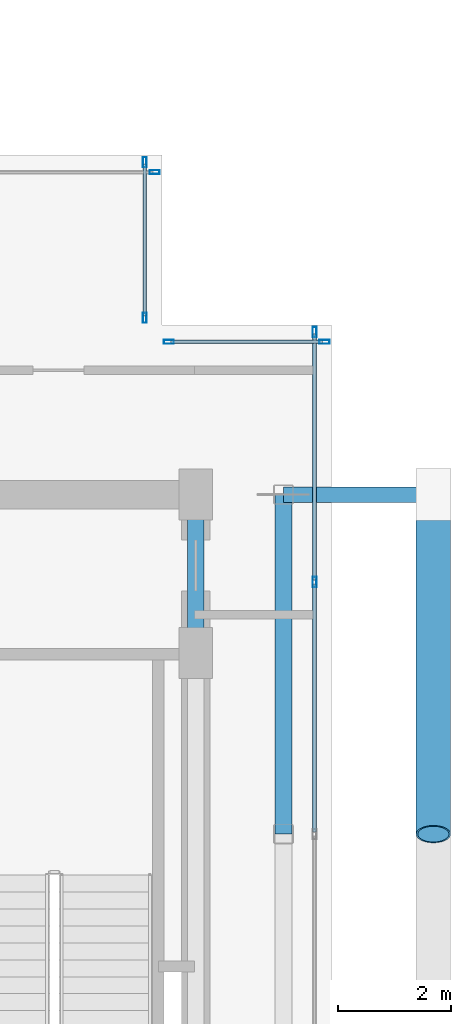
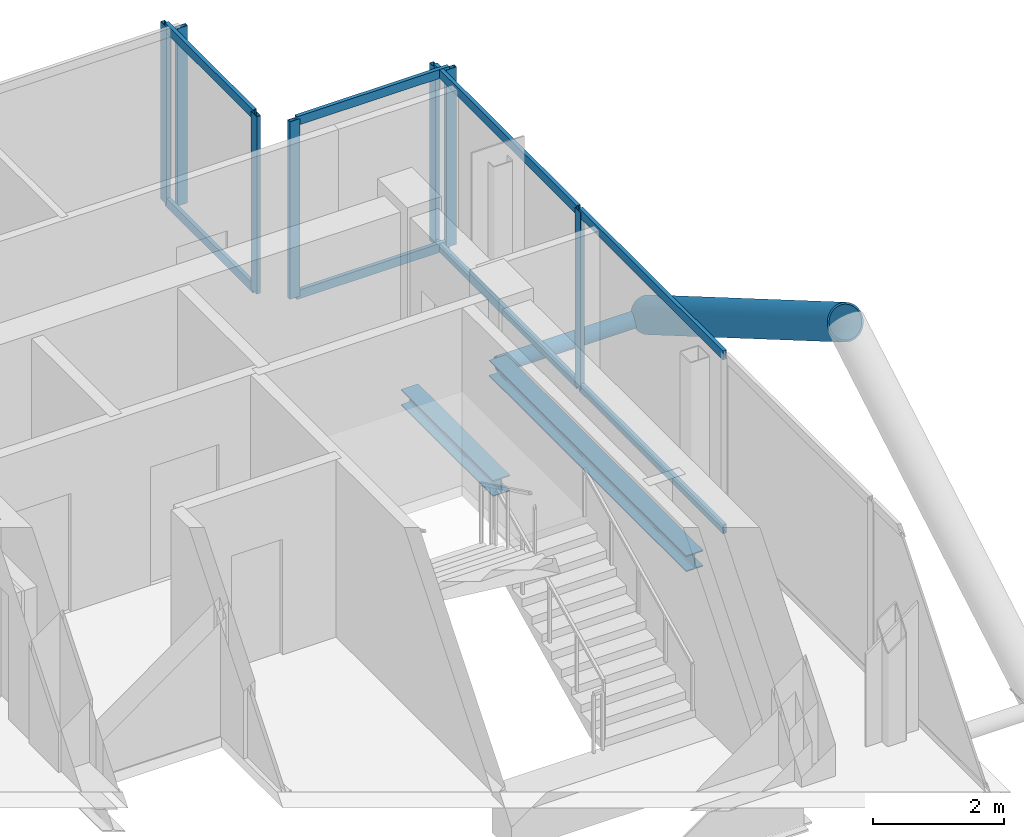
# One storey, part 12 of 18: 17 members, 2 beams, 4 elements without a shape of their own.
"""IFC4 building model written with IfcOpenShell, lengths in metres."""

import ifcopenshell
import ifcopenshell.guid

model = None  # the IFC model being written
_history = None  # IfcOwnerHistory: only IFC2X3 demands one
_inside = {}  # id of a spatial element -> (the spatial element, [elements in it])
_under = {}  # id of a project, library or spatial element -> (it, [spatial elements below it])
_declared = {}  # id of a project -> (the project, [libraries it declares])
_typed = {}  # id of a type object -> (the type object, [elements of that type])
_made_of = {}  # id of a material, layer set ... -> (it, [elements and type objects made of it])


def new_model(schema):
    """Start an empty IFC model of exactly this schema.

    Asked for "IFC4X3", IfcOpenShell would pick the latest addendum, in which some entities
    have other attributes; the version numbers below select the first issue.
    IFC2X3 requires an IfcOwnerHistory on every rooted entity: one is made here for all.
    """
    global model, _history
    if schema == "IFC4X3":
        model = ifcopenshell.file(schema_version=(4, 3, 0, 0))
    else:
        model = ifcopenshell.file(schema=schema)
    _inside.clear()
    _under.clear()
    _declared.clear()
    _typed.clear()
    _made_of.clear()
    _history = None
    if model.schema == "IFC2X3":
        org = make("IfcOrganization", Name="unknown")
        user = make(
            "IfcPersonAndOrganization",
            ThePerson=make("IfcPerson", FamilyName="unknown"),
            TheOrganization=org,
        )
        app = make(
            "IfcApplication",
            ApplicationDeveloper=org,
            Version="unknown",
            ApplicationFullName="unknown",
            ApplicationIdentifier="unknown",
        )
        _history = make(
            "IfcOwnerHistory",
            OwningUser=user,
            OwningApplication=app,
            ChangeAction="ADDED",
            CreationDate=0,
        )
    return model


def make(cls, **values):
    """One entity of the class cls with the attributes given. An attribute that is None is left unset."""
    return model.create_entity(
        cls, **{name: value for name, value in values.items() if value is not None}
    )


def rooted(cls, **values):
    """An entity with a GlobalId (a new one), such as an element, a storey or a relation."""
    return make(cls, GlobalId=ifcopenshell.guid.new(), OwnerHistory=_history, **values)


def si_unit(unit_type, name, prefix=None):
    """IfcSIUnit, for example si_unit("LENGTHUNIT", "METRE", prefix="MILLI")."""
    return make("IfcSIUnit", UnitType=unit_type, Prefix=prefix, Name=name)


def assignment(units):
    """IfcUnitAssignment: the units of a project."""
    return None if units is None else make("IfcUnitAssignment", Units=units)


def point(xyz):
    """IfcCartesianPoint."""
    return None if xyz is None else make("IfcCartesianPoint", Coordinates=xyz)


def direction(xyz):
    """IfcDirection."""
    return None if xyz is None else make("IfcDirection", DirectionRatios=xyz)


def frame(location, z_axis=None, x_axis=None):
    """IfcAxis2Placement3D, a coordinate frame: its origin and axes. An axis left out is left unset."""
    return make(
        "IfcAxis2Placement3D",
        Location=point(location),
        Axis=direction(z_axis),
        RefDirection=direction(x_axis),
    )


def frame_2d(location, x_axis=None):
    """IfcAxis2Placement2D, a coordinate frame in the plane: its origin and x axis."""
    return make(
        "IfcAxis2Placement2D", Location=point(location), RefDirection=direction(x_axis)
    )


def origin():
    """The frame at (0, 0, 0) with its axes left unset."""
    return frame((0.0, 0.0, 0.0))


def origin_2d():
    """The frame at (0, 0) in the plane with its x axis left unset."""
    return frame_2d((0.0, 0.0))


def place(relative_to, where):
    """IfcLocalPlacement: puts the frame where relative to a parent placement (None: the world)."""
    return make(
        "IfcLocalPlacement", PlacementRelTo=relative_to, RelativePlacement=where
    )


def context(
    kind, dimensions, precision=None, world=None, true_north=None, identifier=None
):
    """IfcGeometricRepresentationContext, for example the 3D "Model" context."""
    return make(
        "IfcGeometricRepresentationContext",
        ContextIdentifier=identifier,
        ContextType=kind,
        CoordinateSpaceDimension=dimensions,
        Precision=precision,
        WorldCoordinateSystem=world,
        TrueNorth=true_north,
    )


def subcontext(parent, identifier, kind, view, scale=None):
    """IfcGeometricRepresentationSubContext, for example "Body" below "Model"."""
    return make(
        "IfcGeometricRepresentationSubContext",
        ContextIdentifier=identifier,
        ContextType=kind,
        ParentContext=parent,
        TargetScale=scale,
        TargetView=view,
    )


def project(units=None, contexts=None):
    """IfcProject with its units and contexts."""
    return rooted(
        "IfcProject",
        Name="project",
        RepresentationContexts=contexts,
        UnitsInContext=assignment(units),
    )


def spatial(cls, under=None, at=None, **own):
    """A site, building, storey or space (cls), placed at a placement, below another one or the project."""
    s = rooted(cls, ObjectPlacement=at, **own)
    if under is not None:
        _under.setdefault(under.id(), (under, []))[1].append(s)
    return s


def profile(cls, at=None, kind="AREA", **sizes):
    """A parametric profile (cls). Its sizes go by their IFC names, for example OverallWidth=200.0."""
    return make(cls, ProfileType=kind, Position=at, **sizes)


def hollow_rectangle(**sizes):
    """IfcRectangleHollowProfileDef."""
    return profile("IfcRectangleHollowProfileDef", **sizes)


def hollow_circle(**sizes):
    """IfcCircleHollowProfileDef."""
    return profile("IfcCircleHollowProfileDef", **sizes)


def i_section(**sizes):
    """IfcIShapeProfileDef."""
    return profile("IfcIShapeProfileDef", **sizes)


def extrude(swept, where, along, depth):
    """IfcExtrudedAreaSolid: the profile swept, set in the frame where, extruded along a direction by depth."""
    return make(
        "IfcExtrudedAreaSolid",
        SweptArea=swept,
        Position=where,
        ExtrudedDirection=direction(along),
        Depth=depth,
    )


def shape(context_of_items, identifier, shape_type, items):
    """IfcShapeRepresentation: the items that make up one representation, for example the "Body"."""
    return make(
        "IfcShapeRepresentation",
        ContextOfItems=context_of_items,
        RepresentationIdentifier=identifier,
        RepresentationType=shape_type,
        Items=items,
    )


def material(Name=None, Category=None):
    """IfcMaterial."""
    return make("IfcMaterial", Name=Name, Category=Category)


def layer(
    of_material, thickness, ventilated=None, Name=None, Category=None, Priority=None
):
    """IfcMaterialLayer: one layer of a wall or slab, of a material (None: an air gap)."""
    return make(
        "IfcMaterialLayer",
        Material=of_material,
        LayerThickness=thickness,
        IsVentilated=ventilated,
        Name=Name,
        Category=Category,
        Priority=Priority,
    )


def layer_set(layers, Name=None):
    """IfcMaterialLayerSet."""
    return make("IfcMaterialLayerSet", MaterialLayers=layers, LayerSetName=Name)


def material_profile(
    of_material, cross_section, Name=None, Category=None, Priority=None
):
    """IfcMaterialProfile: a cross section and its material."""
    return make(
        "IfcMaterialProfile",
        Name=Name,
        Material=of_material,
        Profile=cross_section,
        Priority=Priority,
        Category=Category,
    )


def profile_set(profiles, Name=None, composite=None):
    """IfcMaterialProfileSet."""
    return make(
        "IfcMaterialProfileSet",
        Name=Name,
        MaterialProfiles=profiles,
        CompositeProfile=composite,
    )


def made_of(thing, what):
    """Note that an element or type object is made of a material, layer set ...; save() writes the relation."""
    if what is not None:
        _made_of.setdefault(what.id(), (what, []))[1].append(thing)
    return thing


def type_object(cls, material=None, **own):
    """A type object (cls), such as IfcWallType, which elements share."""
    return made_of(rooted(cls, **own), material)


def element(
    cls,
    number,
    at=None,
    inside=None,
    cuts=None,
    type_object=None,
    material=None,
    context=None,
    identifier="Body",
    shape_type=None,
    held_by="IfcProductDefinitionShape",
    body=None,
    shapes=None,
    **own,
):
    """One element of the class cls, such as IfcWall. Its Tag is "e" and its number.

    at: its placement. inside: the storey or other place that contains it. cuts: it is an
    opening in that element (IfcRelVoidsElement). A single representation is given by context,
    identifier, shape_type and body (its items); several are given by shapes. held_by: the class
    of the entity that holds the representations. save() writes the other relations.
    """
    e = rooted(cls, Tag="e%d" % number, ObjectPlacement=at, **own)
    if body is not None:
        shapes = [shape(context, identifier, shape_type, body)]
    if shapes is not None:
        e.Representation = make(held_by, Representations=shapes)
    if inside is not None:
        _inside.setdefault(inside.id(), (inside, []))[1].append(e)
    if cuts is not None:
        rooted(
            "IfcRelVoidsElement", RelatingBuildingElement=cuts, RelatedOpeningElement=e
        )
    if type_object is not None:
        _typed.setdefault(type_object.id(), (type_object, []))[1].append(e)
    return made_of(e, material)


def aggregate(whole, parts):
    """IfcRelAggregates: a whole, such as a stair, and the parts it consists of."""
    return rooted("IfcRelAggregates", RelatingObject=whole, RelatedObjects=parts)


def save(model, path):
    """Write the relations noted so far, then the file.

    IfcRelAggregates (storeys below a building ...), IfcRelContainedInSpatialStructure (elements
    in a storey), IfcRelDefinesByType, IfcRelAssociatesMaterial and IfcRelDeclares: one each for
    every whole, place, type object, material and project.
    """
    for whole, parts in _under.values():
        aggregate(whole, parts)
    for where, things in _inside.values():
        rooted(
            "IfcRelContainedInSpatialStructure",
            RelatedElements=things,
            RelatingStructure=where,
        )
    for kind, things in _typed.values():
        rooted("IfcRelDefinesByType", RelatedObjects=things, RelatingType=kind)
    for what, things in _made_of.values():
        rooted("IfcRelAssociatesMaterial", RelatedObjects=things, RelatingMaterial=what)
    for by, libraries in _declared.values():
        rooted("IfcRelDeclares", RelatingContext=by, RelatedDefinitions=libraries)
    model.write(path)


model = new_model("IFC4")

# Units and contexts
model_context = context("Model", 3, precision=1e-05, world=origin(), true_north=direction((0.0, 1.0)))
body_context = subcontext(model_context, "Body", "Model", "MODEL_VIEW")
ifc_project = project(units=[si_unit("LENGTHUNIT", "METRE"), si_unit("AREAUNIT", "SQUARE_METRE"), si_unit("VOLUMEUNIT", "CUBIC_METRE"), si_unit("PLANEANGLEUNIT", "RADIAN"), si_unit("MASSUNIT", "GRAM", prefix="KILO"), si_unit("THERMODYNAMICTEMPERATUREUNIT", "KELVIN"), si_unit("POWERUNIT", "WATT")], contexts=[model_context])

# Site, building, storey
site_placement = place(None, origin())
site = spatial("IfcSite", under=ifc_project, at=site_placement, CompositionType="ELEMENT")
building_placement = place(site_placement, origin())
building = spatial("IfcBuilding", under=site, at=building_placement, Name="Svarakhadi Broadcast Tower", CompositionType="ELEMENT")
storey_placement = place(building_placement, frame((0.0, 0.0, 264.199951171875)))
storey = spatial("IfcBuildingStorey", under=building, at=storey_placement, Name="L66", CompositionType="ELEMENT", Elevation=264.199951171875)

# Curtain wall, member
ifc_material_1 = material(Name="Anodised Bronze Aluminium AA 6063-T6", Category="aluminium")
ifc_layer = layer(ifc_material_1, 0.179931640625)
ifc_layer_set = layer_set([ifc_layer], Name="Anodised Bronze Aluminium AA 6063-T6")
curtain_wall_type = type_object("IfcCurtainWallType", Name="CW_Sys_05", PredefinedType="NOTDEFINED", material=ifc_layer_set)
curtain_wall_1_placement = place(storey_placement, origin())
curtain_wall_1 = element("IfcCurtainWall", 1, at=curtain_wall_1_placement, inside=storey, type_object=curtain_wall_type, Name="L66 Unitised Facade Curtain Wall 10", PredefinedType="NOTDEFINED")
ifc_material_profile_1 = material_profile(ifc_material_1, hollow_rectangle(XDim=0.070068359375, YDim=0.179931640625, WallThickness=0.005615234375, at=origin_2d()), Name="ALU MULLION 180x70x6")
ifc_profile_set_1 = profile_set([ifc_material_profile_1], Name="Anodised Bronze Aluminium AA 6063-T6")
member_type_1 = type_object("IfcMemberType", Name="CW_Sys_05_Mul", PredefinedType="MULLION", material=ifc_profile_set_1)
member_1_placement = place(storey_placement, frame((32.875, 23.699951171875, 0.0), z_axis=(0.0, 0.0, 1.0), x_axis=(0.0, 1.0, 0.0)))
member_1 = element("IfcMember", 2, at=member_1_placement, type_object=member_type_1, Name="CW-05 mullion 2", PredefinedType="MULLION", context=body_context, shape_type="SweptSolid", body=[
    extrude(hollow_rectangle(XDim=0.070068359375, YDim=0.179931640625, WallThickness=0.005615234375, at=origin_2d()), origin(), (0.0, 0.0, 1.0), 3.300048828125),
])
aggregate(curtain_wall_1, [member_1])

# Curtain wall, members
curtain_wall_2_placement = place(storey_placement, origin())
curtain_wall_2 = element("IfcCurtainWall", 3, at=curtain_wall_2_placement, inside=storey, type_object=curtain_wall_type, Name="L66 Unitised Facade Curtain Wall 11", PredefinedType="NOTDEFINED")
member_2_placement = place(storey_placement, frame((32.699951171875, 23.875, 0.0), z_axis=(0.0, 0.0, 1.0), x_axis=(1.0, 0.0, 0.0)))
member_2 = element("IfcMember", 4, at=member_2_placement, type_object=member_type_1, Name="CW-05 mullion 1", PredefinedType="MULLION", context=body_context, shape_type="SweptSolid", body=[
    extrude(hollow_rectangle(XDim=0.070068359375, YDim=0.179931640625, WallThickness=0.005615234375, at=origin_2d()), origin(), (0.0, 0.0, 1.0), 3.300048828125),
])
member_3_placement = place(storey_placement, frame((32.699951171875, 21.125, 0.0), z_axis=(0.0, 0.0, 1.0), x_axis=(1.0, 0.0, 0.0)))
member_3 = element("IfcMember", 5, at=member_3_placement, type_object=member_type_1, Name="CW-05 mullion 2", PredefinedType="MULLION", context=body_context, shape_type="SweptSolid", body=[
    extrude(hollow_rectangle(XDim=0.070068359375, YDim=0.179931640625, WallThickness=0.005615234375, at=origin_2d()), origin(), (0.0, 0.0, 1.0), 3.300048828125),
])

curtain_wall_3_placement = place(storey_placement, origin())
curtain_wall_3 = element("IfcCurtainWall", 6, at=curtain_wall_3_placement, inside=storey, type_object=curtain_wall_type, Name="L66 Unitised Facade Curtain Wall 12", PredefinedType="NOTDEFINED")
member_4_placement = place(storey_placement, frame((33.125, 20.699951171875, 0.0), z_axis=(0.0, 0.0, 1.0), x_axis=(0.0, 1.0, 0.0)))
member_4 = element("IfcMember", 7, at=member_4_placement, type_object=member_type_1, Name="CW-05 mullion 1", PredefinedType="MULLION", context=body_context, shape_type="SweptSolid", body=[
    extrude(hollow_rectangle(XDim=0.070068359375, YDim=0.179931640625, WallThickness=0.005615234375, at=origin_2d()), origin(), (0.0, 0.0, 1.0), 3.300048828125),
])
member_5_placement = place(storey_placement, frame((35.875, 20.699951171875, 0.0), z_axis=(0.0, 0.0, 1.0), x_axis=(0.0, 1.0, 0.0)))
member_5 = element("IfcMember", 8, at=member_5_placement, type_object=member_type_1, Name="CW-05 mullion 2", PredefinedType="MULLION", context=body_context, shape_type="SweptSolid", body=[
    extrude(hollow_rectangle(XDim=0.070068359375, YDim=0.179931640625, WallThickness=0.005615234375, at=origin_2d()), origin(), (0.0, 0.0, 1.0), 3.300048828125),
])

curtain_wall_4_placement = place(storey_placement, origin())
curtain_wall_4 = element("IfcCurtainWall", 9, at=curtain_wall_4_placement, inside=storey, type_object=curtain_wall_type, Name="L66 Unitised Facade Curtain Wall 13", PredefinedType="NOTDEFINED")
member_6_placement = place(storey_placement, frame((35.699951171875, 20.875, 0.0), z_axis=(0.0, 0.0, 1.0), x_axis=(1.0, 0.0, 0.0)))
member_6 = element("IfcMember", 10, at=member_6_placement, type_object=member_type_1, Name="CW-05 mullion 1", PredefinedType="MULLION", context=body_context, shape_type="SweptSolid", body=[
    extrude(hollow_rectangle(XDim=0.070068359375, YDim=0.179931640625, WallThickness=0.005615234375, at=origin_2d()), origin(), (0.0, 0.0, 1.0), 3.300048828125),
])
member_7_placement = place(storey_placement, frame((35.699951171875, 16.455078125, 0.0), z_axis=(0.0, 0.0, 1.0), x_axis=(1.0, 0.0, 0.0)))
member_7 = element("IfcMember", 11, at=member_7_placement, type_object=member_type_1, Name="CW-05 mullion 2", PredefinedType="MULLION", context=body_context, shape_type="SweptSolid", body=[
    extrude(hollow_rectangle(XDim=0.070068359375, YDim=0.179931640625, WallThickness=0.005615234375, at=origin_2d()), origin(), (0.0, 0.0, 1.0), 3.300048828125),
])

# Member
ifc_material_profile_2 = material_profile(ifc_material_1, hollow_rectangle(XDim=0.06494140625, YDim=0.1650390625, WallThickness=0.0048828125, at=origin_2d()), Name="ALU TRANSOM 165x65x5")
ifc_profile_set_2 = profile_set([ifc_material_profile_2], Name="Anodised Bronze Aluminium AA 6063-T6")
member_type_2 = type_object("IfcMemberType", Name="CW_Sys_05_Trn", PredefinedType="USERDEFINED", material=ifc_profile_set_2)
member_8_placement = place(storey_placement, frame((32.699951171875, 23.840087890625, 0.032470703125), z_axis=(0.0, -1.0, 0.0), x_axis=(1.0, 0.0, 0.0)))
member_8 = element("IfcMember", 12, at=member_8_placement, type_object=member_type_2, Name="CW-05 transom 1.1", ObjectType="TRANSOM", PredefinedType="USERDEFINED", context=body_context, shape_type="SweptSolid", body=[
    extrude(hollow_rectangle(XDim=0.06494140625, YDim=0.1650390625, WallThickness=0.0048828125, at=origin_2d()), origin(), (0.0, 0.0, 1.0), 2.68017578125),
])

member_9_placement = place(storey_placement, frame((32.699951171875, 23.840087890625, 3.267578125), z_axis=(0.0, -1.0, 0.0), x_axis=(1.0, 0.0, 0.0)))
member_9 = element("IfcMember", 13, at=member_9_placement, type_object=member_type_2, Name="CW-05 transom 1.2", ObjectType="TRANSOM", PredefinedType="USERDEFINED", context=body_context, shape_type="SweptSolid", body=[
    extrude(hollow_rectangle(XDim=0.06494140625, YDim=0.1650390625, WallThickness=0.0048828125, at=origin_2d()), origin(), (0.0, 0.0, 1.0), 2.68017578125),
])

aggregate(curtain_wall_2, [member_2, member_3, member_8, member_9])

member_10_placement = place(storey_placement, frame((33.159912109375, 20.699951171875, 0.032470703125), z_axis=(1.0, 0.0, 0.0), x_axis=(0.0, 1.0, 0.0)))
member_10 = element("IfcMember", 14, at=member_10_placement, type_object=member_type_2, Name="CW-05 transom 1.1", ObjectType="TRANSOM", PredefinedType="USERDEFINED", context=body_context, shape_type="SweptSolid", body=[
    extrude(hollow_rectangle(XDim=0.06494140625, YDim=0.1650390625, WallThickness=0.0048828125, at=origin_2d()), origin(), (0.0, 0.0, 1.0), 2.68017578125),
])

member_11_placement = place(storey_placement, frame((33.159912109375, 20.699951171875, 3.267578125), z_axis=(1.0, 0.0, 0.0), x_axis=(0.0, 1.0, 0.0)))
member_11 = element("IfcMember", 15, at=member_11_placement, type_object=member_type_2, Name="CW-05 transom 1.2", ObjectType="TRANSOM", PredefinedType="USERDEFINED", context=body_context, shape_type="SweptSolid", body=[
    extrude(hollow_rectangle(XDim=0.06494140625, YDim=0.1650390625, WallThickness=0.0048828125, at=origin_2d()), origin(), (0.0, 0.0, 1.0), 2.68017578125),
])

aggregate(curtain_wall_3, [member_4, member_5, member_10, member_11])

member_12_placement = place(storey_placement, frame((35.699951171875, 20.840087890625, 0.032470703125), z_axis=(0.0, -1.0, 0.0), x_axis=(1.0, 0.0, 0.0)))
member_12 = element("IfcMember", 16, at=member_12_placement, type_object=member_type_2, Name="CW-05 transom 1.1", ObjectType="TRANSOM", PredefinedType="USERDEFINED", context=body_context, shape_type="SweptSolid", body=[
    extrude(hollow_rectangle(XDim=0.06494140625, YDim=0.1650390625, WallThickness=0.0048828125, at=origin_2d()), origin(), (0.0, 0.0, 1.0), 4.35009765625),
])

member_13_placement = place(storey_placement, frame((35.699951171875, 20.840087890625, 3.267578125), z_axis=(0.0, -1.0, 0.0), x_axis=(1.0, 0.0, 0.0)))
member_13 = element("IfcMember", 17, at=member_13_placement, type_object=member_type_2, Name="CW-05 transom 1.2", ObjectType="TRANSOM", PredefinedType="USERDEFINED", context=body_context, shape_type="SweptSolid", body=[
    extrude(hollow_rectangle(XDim=0.06494140625, YDim=0.1650390625, WallThickness=0.0048828125, at=origin_2d()), origin(), (0.0, 0.0, 1.0), 4.35009765625),
])

member_14_placement = place(storey_placement, frame((35.699951171875, 16.419921875, 0.032470703125), z_axis=(0.0, -1.0, 0.0), x_axis=(1.0, 0.0, 0.0)))
member_14 = element("IfcMember", 18, at=member_14_placement, type_object=member_type_2, Name="CW-05 transom 2.1", ObjectType="TRANSOM", PredefinedType="USERDEFINED", context=body_context, shape_type="SweptSolid", body=[
    extrude(hollow_rectangle(XDim=0.06494140625, YDim=0.1650390625, WallThickness=0.0048828125, at=origin_2d()), origin(), (0.0, 0.0, 1.0), 4.385009765625),
])

member_15_placement = place(storey_placement, frame((35.699951171875, 16.419921875, 3.267578125), z_axis=(0.0, -1.0, 0.0), x_axis=(1.0, 0.0, 0.0)))
member_15 = element("IfcMember", 19, at=member_15_placement, type_object=member_type_2, Name="CW-05 transom 2.2", ObjectType="TRANSOM", PredefinedType="USERDEFINED", context=body_context, shape_type="SweptSolid", body=[
    extrude(hollow_rectangle(XDim=0.06494140625, YDim=0.1650390625, WallThickness=0.0048828125, at=origin_2d()), origin(), (0.0, 0.0, 1.0), 4.385009765625),
])

aggregate(curtain_wall_4, [member_6, member_7, member_12, member_13, member_14, member_15])

# Members
ifc_material_2 = material(Name="Steel S460ML (IS 2062 E450BR)", Category="steel")
ifc_material_profile_3 = material_profile(ifc_material_2, hollow_circle(Radius=0.304931640625, WallThickness=0.030029296875, at=origin_2d()), Name="CHS 610x30")
ifc_profile_set_3 = profile_set([ifc_material_profile_3], Name="Steel S460ML (IS 2062 E450BR)")
member_type_3 = type_object("IfcMemberType", Name="Exo_Brace_CHS610", PredefinedType="BRACE", material=ifc_profile_set_3)
member_16_placement = place(storey_placement, frame((37.800048828125, 18.0, -0.33642578125), z_axis=(0.0, -0.863778900898, 0.503871025524), x_axis=(1.0, 0.0, 0.0)))
element("IfcMember", 20, at=member_16_placement, inside=storey, type_object=member_type_3, Name="L66 Exposed Bronze Exoskeleton Diagonal E03", PredefinedType="BRACE", context=body_context, shape_type="SweptSolid", body=[
    extrude(hollow_circle(Radius=0.304931640625, WallThickness=0.030029296875, at=origin_2d()), origin(), (0.0, 0.0, 1.0), 6.9462890625),
])
ifc_material_profile_4 = material_profile(ifc_material_2, hollow_circle(Radius=0.136474609375, WallThickness=0.012451171875, at=origin_2d()), Name="CHS 273x12.5")
ifc_profile_set_4 = profile_set([ifc_material_profile_4], Name="Steel S460ML (IS 2062 E450BR)")
member_type_4 = type_object("IfcMemberType", Name="Exo_Radial_Strut_Z3", PredefinedType="STRUT", material=ifc_profile_set_4)
member_17_placement = place(storey_placement, frame((37.800048828125, 18.0, -0.33642578125), z_axis=(-1.0, 0.0, 0.0), x_axis=(0.0, -1.0, 0.0)))
element("IfcMember", 21, at=member_17_placement, inside=storey, type_object=member_type_4, Name="L66 Exoskeleton Radial Tie Strut E06", PredefinedType="STRUT", context=body_context, shape_type="SweptSolid", body=[
    extrude(hollow_circle(Radius=0.136474609375, WallThickness=0.012451171875, at=origin_2d()), origin(), (0.0, 0.0, 1.0), 2.650146484375),
])

# Beams
ifc_material_3 = material(Name="Steel S355J2 (IS 2062 E350C)", Category="steel")
ifc_material_profile_5 = material_profile(ifc_material_3, i_section(OverallWidth=0.300048828125, OverallDepth=0.300048828125, WebThickness=0.010986328125, FlangeThickness=0.01904296875, FilletRadius=0.027099609375, at=origin_2d()), Name="WPB 300x300x117")
ifc_profile_set_5 = profile_set([ifc_material_profile_5], Name="Steel S355J2 (IS 2062 E350C)")
beam_type = type_object("IfcBeamType", Name="Girder_WPB300", PredefinedType="USERDEFINED", material=ifc_profile_set_5)
beam_1_placement = place(storey_placement, frame((33.60009765625, 15.199951171875, -0.349853515625), z_axis=(0.0, 1.0, 0.0), x_axis=(-1.0, 0.0, 0.0)))
element("IfcBeam", 22, at=beam_1_placement, inside=storey, type_object=beam_type, Name="L66 Primary N-S Girder G044", ObjectType="GIRDER", PredefinedType="USERDEFINED", context=body_context, shape_type="SweptSolid", body=[
    extrude(i_section(OverallWidth=0.300048828125, OverallDepth=0.300048828125, WebThickness=0.010986328125, FlangeThickness=0.01904296875, FilletRadius=0.027099609375, at=origin_2d()), origin(), (0.0, 0.0, 1.0), 2.800048828125),
])
beam_2_placement = place(storey_placement, frame((35.14990234375, 12.0, -0.349853515625), z_axis=(0.0, 1.0, 0.0), x_axis=(-1.0, 0.0, 0.0)))
element("IfcBeam", 23, at=beam_2_placement, inside=storey, type_object=beam_type, Name="L66 Primary N-S Girder G046", ObjectType="GIRDER", PredefinedType="USERDEFINED", context=body_context, shape_type="SweptSolid", body=[
    extrude(i_section(OverallWidth=0.300048828125, OverallDepth=0.300048828125, WebThickness=0.010986328125, FlangeThickness=0.01904296875, FilletRadius=0.027099609375, at=origin_2d()), origin(), (0.0, 0.0, 1.0), 6.0),
])

save(model, "model.ifc")
